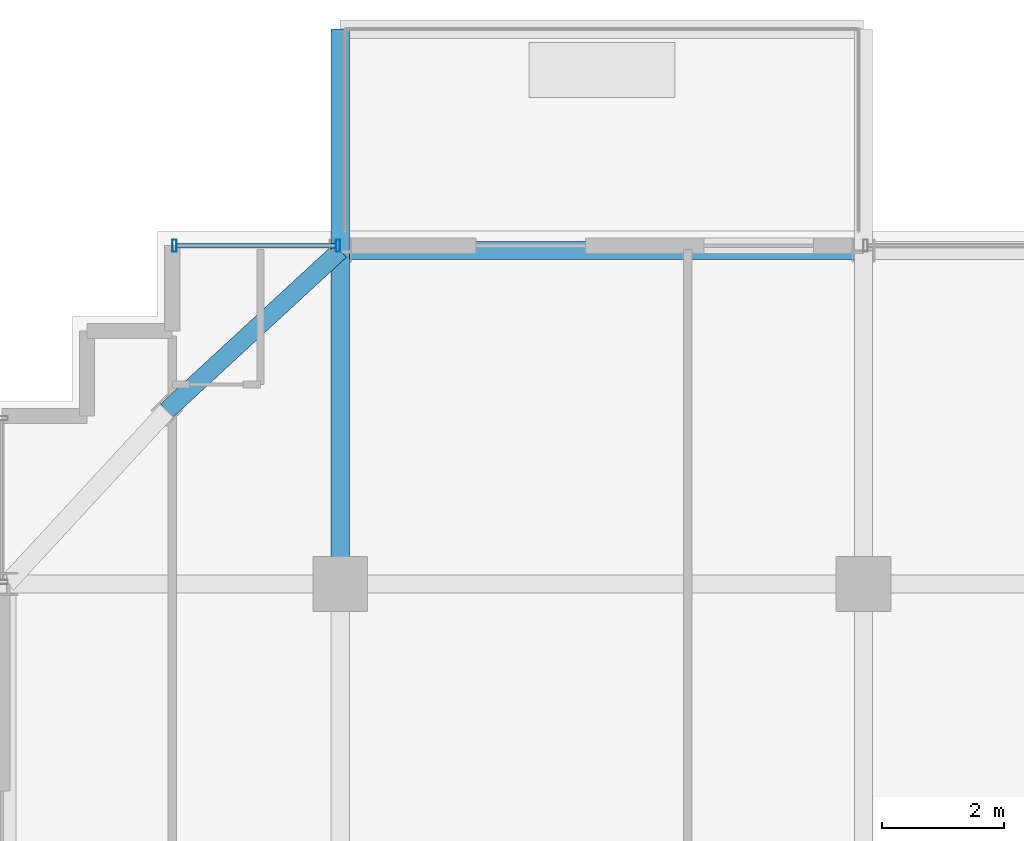
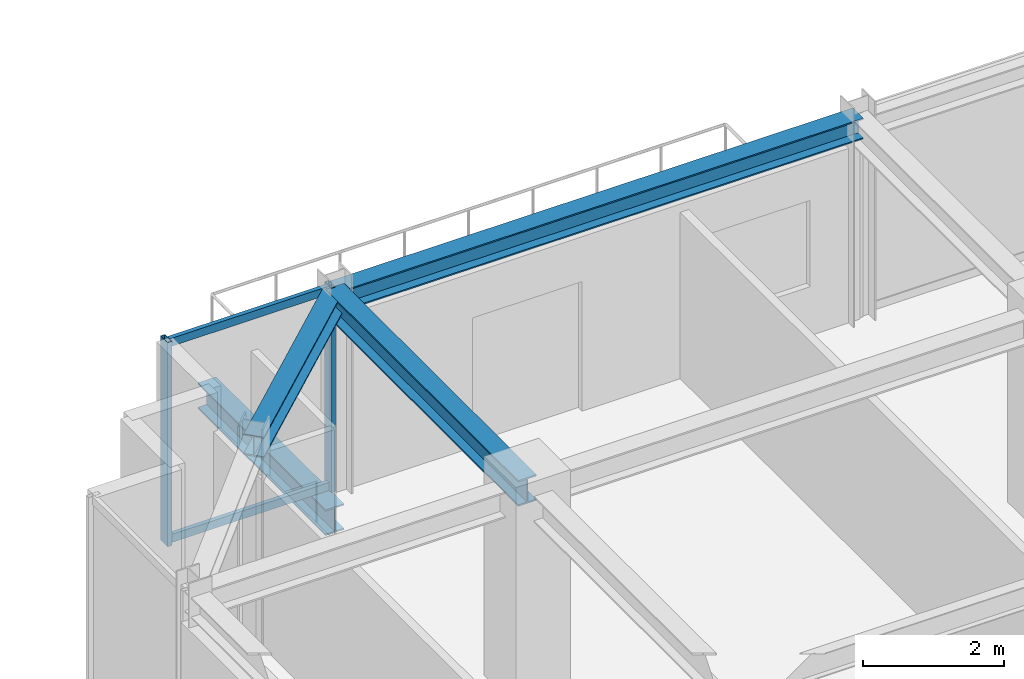
# One storey, part 26 of 40: 4 beams, 4 members, 1 element without a shape of its own.
"""IFC4 building model written with IfcOpenShell, lengths in metres."""

from ifc_helpers import new_model, si_unit, direction, frame, origin, origin_2d, place, context, subcontext, project, spatial, hollow_rectangle, i_section, extrude, source, transform, mapped, material, material_profile, profile_set, type_object, element, aggregate, save


model = new_model("IFC4")

# Units and contexts
model_context = context("Model", 3, precision=1e-05, world=origin(), true_north=direction((0.0, 1.0)))
body_context = subcontext(model_context, "Body", "Model", "MODEL_VIEW")
ifc_project = project(units=[si_unit("LENGTHUNIT", "METRE"), si_unit("AREAUNIT", "SQUARE_METRE"), si_unit("VOLUMEUNIT", "CUBIC_METRE"), si_unit("PLANEANGLEUNIT", "RADIAN"), si_unit("MASSUNIT", "GRAM", prefix="KILO")], contexts=[model_context])

# Site, building, storey
site_placement = place(None, origin())
site = spatial("IfcSite", under=ifc_project, at=site_placement, CompositionType="ELEMENT")
building_placement = place(site_placement, origin())
building = spatial("IfcBuilding", under=site, at=building_placement, Name="Nahalor Promenade Grand Hotel", CompositionType="ELEMENT")
storey_placement = place(building_placement, frame((0.0, 0.0, 288.800048828125)))
storey = spatial("IfcBuildingStorey", under=building, at=storey_placement, Name="L74", CompositionType="ELEMENT", Elevation=288.800048828125)

# Beams
ifc_material_1 = material(Name="Steel S355JR", Category="steel")
ifc_material_profile_1 = material_profile(ifc_material_1, i_section(OverallWidth=0.3, OverallDepth=0.45, WebThickness=0.014, FlangeThickness=0.026, at=origin_2d()), Name="HEB 450")
ifc_profile_set_1 = profile_set([ifc_material_profile_1], Name="Steel S355JR")
beam_type_1 = type_object("IfcBeamType", Name="Beam-Outrigger-HEB450", PredefinedType="BEAM", material=ifc_profile_set_1)
shared_shape_1 = source(origin(), body_context, "Body", "SweptSolid", [
    extrude(i_section(OverallWidth=0.3, OverallDepth=0.45, WebThickness=0.014, FlangeThickness=0.026, at=origin_2d()), origin(), (0.0, 0.0, 1.0), 3.64013671875),
])
beam_1_placement = place(storey_placement, frame((-17.0, 22.47998046875, -0.505126953125), z_axis=(0.0, 1.0, 0.0), x_axis=(-1.0, 0.0, 0.0)))
element("IfcBeam", 1, at=beam_1_placement, inside=storey, type_object=beam_type_1, Name="BM-L74-BC-01-1", PredefinedType="BEAM", context=body_context, shape_type="MappedRepresentation", body=[
    mapped(shared_shape_1, transform((0.0, 0.0, 0.0), scale=1.0)),
])
ifc_material_profile_2 = material_profile(ifc_material_1, i_section(OverallWidth=0.3, OverallDepth=0.45, WebThickness=0.014, FlangeThickness=0.026, at=origin_2d()), Name="HEB 450")
ifc_profile_set_2 = profile_set([ifc_material_profile_2], Name="Steel S355JR")
beam_type_2 = type_object("IfcBeamType", Name="Beam-Girder-HEB450", PredefinedType="BEAM", material=ifc_profile_set_2)
shared_shape_2 = source(origin(), body_context, "Body", "SweptSolid", [
    extrude(i_section(OverallWidth=0.3, OverallDepth=0.45, WebThickness=0.014, FlangeThickness=0.026, at=origin_2d()), origin(), (0.0, 0.0, 1.0), 5.47998046875),
])
beam_2_placement = place(storey_placement, frame((-17.0, 17.0, 3.324951171875), z_axis=(0.0, 1.0, 0.0), x_axis=(-1.0, 0.0, 0.0)))
element("IfcBeam", 2, at=beam_2_placement, inside=storey, type_object=beam_type_2, Name="BM-L74-GY-0-4", PredefinedType="BEAM", context=body_context, shape_type="MappedRepresentation", body=[
    mapped(shared_shape_2, transform((0.0, 0.0, 0.0), scale=1.0)),
])
ifc_material_profile_3 = material_profile(ifc_material_1, i_section(OverallWidth=0.3, OverallDepth=0.36, WebThickness=0.0125, FlangeThickness=0.0225, at=origin_2d()), Name="HEB 360")
ifc_profile_set_3 = profile_set([ifc_material_profile_3], Name="Steel S355JR")
beam_type_3 = type_object("IfcBeamType", Name="Beam-Spandrel-HEB360", PredefinedType="SPANDREL", material=ifc_profile_set_3)
shared_shape_3 = source(origin(), body_context, "Body", "SweptSolid", [
    extrude(i_section(OverallWidth=0.3, OverallDepth=0.36, WebThickness=0.0125, FlangeThickness=0.0225, at=origin_2d()), origin(), (0.0, 0.0, 1.0), 8.60009765625),
])
beam_3_placement = place(storey_placement, frame((-17.0, 22.47998046875, 3.369873046875), z_axis=(1.0, 0.0, 0.0), x_axis=(0.0, 1.0, 0.0)))
element("IfcBeam", 3, at=beam_3_placement, inside=storey, type_object=beam_type_3, Name="BM-L74-SP-N-0", PredefinedType="SPANDREL", context=body_context, shape_type="MappedRepresentation", body=[
    mapped(shared_shape_3, transform((0.0, 0.0, 0.0), scale=1.0)),
])
shared_shape_4 = source(origin(), body_context, "Body", "SweptSolid", [
    extrude(i_section(OverallWidth=0.3, OverallDepth=0.36, WebThickness=0.0125, FlangeThickness=0.0225, at=origin_2d()), origin(), (0.0, 0.0, 1.0), 3.878173828125),
])
beam_4_placement = place(storey_placement, frame((-17.0, 22.47998046875, 3.369873046875), z_axis=(-0.73492893846, -0.678144125843, 0.0), x_axis=(0.678144125843, -0.73492893846, 0.0)))
element("IfcBeam", 4, at=beam_4_placement, inside=storey, type_object=beam_type_3, Name="BM-L74-SPC-NW-1", PredefinedType="SPANDREL", context=body_context, shape_type="MappedRepresentation", body=[
    mapped(shared_shape_4, transform((0.0, 0.0, 0.0), scale=1.0)),
])

# Curtain wall, members
ifc_material_2 = material(Name="Anodised Bronze Aluminium EN AW-6063 T6", Category="aluminium")
curtain_wall_type = type_object("IfcCurtainWallType", Name="CW3 Elliptical-Void Collar Unitised Curtain Wall", PredefinedType="USERDEFINED", material=ifc_material_2)
curtain_wall_placement = place(storey_placement, origin())
curtain_wall = element("IfcCurtainWall", 5, at=curtain_wall_placement, inside=storey, type_object=curtain_wall_type, Name="L74 Curtain Wall CW-L74-N-1", ObjectType="UNITISED_CURTAIN_WALL", PredefinedType="USERDEFINED")
ifc_material_profile_4 = material_profile(ifc_material_2, hollow_rectangle(XDim=0.07, YDim=0.14, WallThickness=0.004, at=origin_2d()), Name="CWT 70x140x4")
ifc_profile_set_4 = profile_set([ifc_material_profile_4], Name="Anodised Bronze Aluminium EN AW-6063 T6")
member_type_1 = type_object("IfcMemberType", Name="CWT3 Void Collar Transom 70x140", PredefinedType="USERDEFINED", material=ifc_profile_set_4)
shared_shape_5 = source(origin(), body_context, "Body", "SweptSolid", [
    extrude(hollow_rectangle(XDim=0.07, YDim=0.14, WallThickness=0.004, at=origin_2d()), origin(), (0.0, 0.0, 1.0), 2.619873046875),
])
member_1_placement = place(storey_placement, frame((-19.68994140625, 22.56005859375, 0.070068359375), z_axis=(1.0, 0.0, 0.0), x_axis=(0.0, 1.0, 0.0)))
member_1 = element("IfcMember", 6, at=member_1_placement, type_object=member_type_1, Name="CW-L74-N-1 Transom 0-0", ObjectType="TRANSOM", PredefinedType="USERDEFINED", context=body_context, shape_type="MappedRepresentation", body=[
    mapped(shared_shape_5, transform((0.0, 0.0, 0.0), scale=1.0)),
])
member_2_placement = place(storey_placement, frame((-19.68994140625, 22.56005859375, 3.47998046875), z_axis=(1.0, 0.0, 0.0), x_axis=(0.0, 1.0, 0.0)))
member_2 = element("IfcMember", 7, at=member_2_placement, type_object=member_type_1, Name="CW-L74-N-1 Transom 0-1", ObjectType="TRANSOM", PredefinedType="USERDEFINED", context=body_context, shape_type="MappedRepresentation", body=[
    mapped(shared_shape_5, transform((0.0, 0.0, 0.0), scale=1.0)),
])
ifc_material_profile_5 = material_profile(ifc_material_2, hollow_rectangle(XDim=0.07, YDim=0.2, WallThickness=0.005, at=origin_2d()), Name="CWM 70x200x5")
ifc_profile_set_5 = profile_set([ifc_material_profile_5], Name="Anodised Bronze Aluminium EN AW-6063 T6")
member_type_2 = type_object("IfcMemberType", Name="CWM3 Void Collar Mullion 70x200", PredefinedType="MULLION", material=ifc_profile_set_5)
shared_shape_6 = source(origin(), body_context, "Body", "SweptSolid", [
    extrude(hollow_rectangle(XDim=0.07, YDim=0.2, WallThickness=0.005, at=origin_2d()), origin(), (0.0, 0.0, 1.0), 3.550048828125),
])
member_3_placement = place(storey_placement, frame((-19.72509765625, 22.56005859375, 0.0), z_axis=(0.0, 0.0, 1.0), x_axis=(1.0, 0.0, 0.0)))
member_3 = element("IfcMember", 8, at=member_3_placement, type_object=member_type_2, Name="CW-L74-N-1 Mullion 0", PredefinedType="MULLION", context=body_context, shape_type="MappedRepresentation", body=[
    mapped(shared_shape_6, transform((0.0, 0.0, 0.0), scale=1.0)),
])
member_4_placement = place(storey_placement, frame((-17.034912109375, 22.56005859375, 0.0), z_axis=(0.0, 0.0, 1.0), x_axis=(1.0, 0.0, 0.0)))
member_4 = element("IfcMember", 9, at=member_4_placement, type_object=member_type_2, Name="CW-L74-N-1 Mullion 1", PredefinedType="MULLION", context=body_context, shape_type="MappedRepresentation", body=[
    mapped(shared_shape_6, transform((0.0, 0.0, 0.0), scale=1.0)),
])
aggregate(curtain_wall, [member_3, member_4, member_1, member_2])

save(model, "model.ifc")
